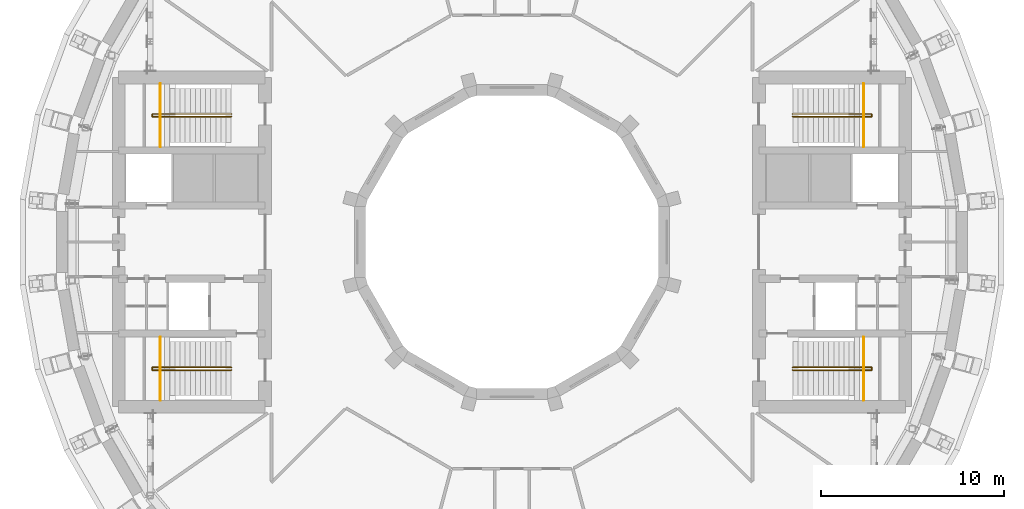
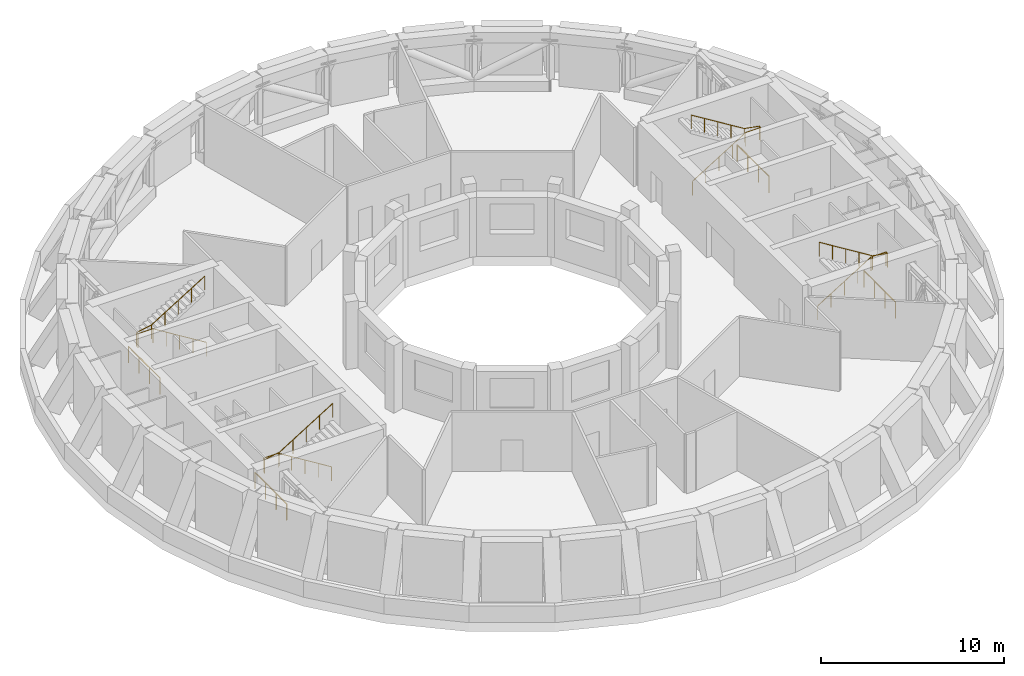
# One storey, part 20 of 20: 8 railings.
"""IFC4 building model written with IfcOpenShell, lengths in metres."""

from ifc_helpers import new_model, si_unit, direction, frame, origin, origin_2d, place, context, subcontext, project, spatial, circle, extrude, material, type_object, element, save


model = new_model("IFC4")

# Units and contexts
model_context = context("Model", 3, precision=1e-05, world=origin(), true_north=direction((0.0, 1.0)))
body_context = subcontext(model_context, "Body", "Model", "MODEL_VIEW")
ifc_project = project(units=[si_unit("LENGTHUNIT", "METRE"), si_unit("AREAUNIT", "SQUARE_METRE"), si_unit("VOLUMEUNIT", "CUBIC_METRE"), si_unit("PLANEANGLEUNIT", "RADIAN"), si_unit("MASSUNIT", "GRAM", prefix="KILO")], contexts=[model_context])

# Site, building, storey
site_placement = place(None, origin())
site = spatial("IfcSite", under=ifc_project, at=site_placement, CompositionType="ELEMENT")
building_placement = place(site_placement, origin())
building = spatial("IfcBuilding", under=site, at=building_placement, Name="Saqina Gate Tower", CompositionType="ELEMENT")
storey_placement = place(building_placement, frame((0.0, 0.0, 151.300048828125)))
storey = spatial("IfcBuildingStorey", under=building, at=storey_placement, Name="L43", CompositionType="ELEMENT", Elevation=151.300048828125)

# Railings
ifc_material_1 = material(Name="Stainless steel", Category="steel")
railing_type_1 = type_object("IfcRailingType", Name="STAIR GUARD", PredefinedType="GUARDRAIL", material=ifc_material_1)
railing_1_placement = place(storey_placement, frame((19.219970703125, 5.199951171875, 0.0)))
element("IfcRailing", 1, at=railing_1_placement, inside=storey, type_object=railing_type_1, Name="STAIR GUARD", PredefinedType="GUARDRAIL", context=body_context, shape_type="SweptSolid", body=[
    extrude(circle(Radius=0.02392578125, at=origin_2d()), frame((0.0, 0.0, 1.076171875), z_axis=(0.0, 1.0, 0.0), x_axis=(-1.0, 0.0, 0.0)), (0.0, 0.0, 1.0), 3.449951171875),
    extrude(circle(Radius=0.02099609375, at=origin_2d()), origin(), (0.0, 0.0, 1.0), 1.052001953125),
    extrude(circle(Radius=0.02099609375, at=origin_2d()), frame((0.0, 1.14990234375, 0.0)), (0.0, 0.0, 1.0), 1.052001953125),
    extrude(circle(Radius=0.02099609375, at=origin_2d()), frame((0.0, 2.300048828125, 0.0)), (0.0, 0.0, 1.0), 1.052001953125),
    extrude(circle(Radius=0.02099609375, at=origin_2d()), frame((0.0, 3.449951171875, 0.0)), (0.0, 0.0, 1.0), 1.052001953125),
])
railing_2_placement = place(storey_placement, frame((19.219970703125, -5.199951171875, 0.0)))
element("IfcRailing", 2, at=railing_2_placement, inside=storey, type_object=railing_type_1, Name="STAIR GUARD", PredefinedType="GUARDRAIL", context=body_context, shape_type="SweptSolid", body=[
    extrude(circle(Radius=0.02392578125, at=origin_2d()), frame((0.0, 0.0, 1.076171875), z_axis=(0.0, -1.0, 0.0), x_axis=(1.0, 0.0, 0.0)), (0.0, 0.0, 1.0), 3.449951171875),
    extrude(circle(Radius=0.02099609375, at=origin_2d()), origin(), (0.0, 0.0, 1.0), 1.052001953125),
    extrude(circle(Radius=0.02099609375, at=origin_2d()), frame((0.0, -1.14990234375, 0.0)), (0.0, 0.0, 1.0), 1.052001953125),
    extrude(circle(Radius=0.02099609375, at=origin_2d()), frame((0.0, -2.300048828125, 0.0)), (0.0, 0.0, 1.0), 1.052001953125),
    extrude(circle(Radius=0.02099609375, at=origin_2d()), frame((0.0, -3.449951171875, 0.0)), (0.0, 0.0, 1.0), 1.052001953125),
])
railing_3_placement = place(storey_placement, frame((-19.219970703125, 5.199951171875, 0.0)))
element("IfcRailing", 3, at=railing_3_placement, inside=storey, type_object=railing_type_1, Name="STAIR GUARD", PredefinedType="GUARDRAIL", context=body_context, shape_type="SweptSolid", body=[
    extrude(circle(Radius=0.02392578125, at=origin_2d()), frame((0.0, 0.0, 1.076171875), z_axis=(0.0, 1.0, 0.0), x_axis=(-1.0, 0.0, 0.0)), (0.0, 0.0, 1.0), 3.449951171875),
    extrude(circle(Radius=0.02099609375, at=origin_2d()), origin(), (0.0, 0.0, 1.0), 1.052001953125),
    extrude(circle(Radius=0.02099609375, at=origin_2d()), frame((0.0, 1.14990234375, 0.0)), (0.0, 0.0, 1.0), 1.052001953125),
    extrude(circle(Radius=0.02099609375, at=origin_2d()), frame((0.0, 2.300048828125, 0.0)), (0.0, 0.0, 1.0), 1.052001953125),
    extrude(circle(Radius=0.02099609375, at=origin_2d()), frame((0.0, 3.449951171875, 0.0)), (0.0, 0.0, 1.0), 1.052001953125),
])
railing_4_placement = place(storey_placement, frame((-19.219970703125, -5.199951171875, 0.0)))
element("IfcRailing", 4, at=railing_4_placement, inside=storey, type_object=railing_type_1, Name="STAIR GUARD", PredefinedType="GUARDRAIL", context=body_context, shape_type="SweptSolid", body=[
    extrude(circle(Radius=0.02392578125, at=origin_2d()), frame((0.0, 0.0, 1.076171875), z_axis=(0.0, -1.0, 0.0), x_axis=(1.0, 0.0, 0.0)), (0.0, 0.0, 1.0), 3.449951171875),
    extrude(circle(Radius=0.02099609375, at=origin_2d()), origin(), (0.0, 0.0, 1.0), 1.052001953125),
    extrude(circle(Radius=0.02099609375, at=origin_2d()), frame((0.0, -1.14990234375, 0.0)), (0.0, 0.0, 1.0), 1.052001953125),
    extrude(circle(Radius=0.02099609375, at=origin_2d()), frame((0.0, -2.300048828125, 0.0)), (0.0, 0.0, 1.0), 1.052001953125),
    extrude(circle(Radius=0.02099609375, at=origin_2d()), frame((0.0, -3.449951171875, 0.0)), (0.0, 0.0, 1.0), 1.052001953125),
])
ifc_material_2 = material(Name="Stainless steel", Category="steel")
railing_type_2 = type_object("IfcRailingType", Name="STAIR HANDRAIL", PredefinedType="HANDRAIL", material=ifc_material_2)
railing_5_placement = place(storey_placement, frame((15.35009765625, 6.85009765625, 0.173095703125)))
element("IfcRailing", 5, at=railing_5_placement, inside=storey, type_object=railing_type_2, Name="EXIT STAIR 1 HANDRAIL", PredefinedType="HANDRAIL", context=body_context, shape_type="SweptSolid", body=[
    extrude(circle(Radius=0.02392578125, at=origin_2d()), frame((0.0, 0.0, 0.92578125), z_axis=(0.850606129759, 0.0, 0.525803396734), x_axis=(0.0, 1.0, 0.0)), (0.0, 0.0, 1.0), 3.949951171875),
    extrude(circle(Radius=0.02392578125, at=origin_2d()), frame((3.35986328125, 0.0, 3.0029296875), z_axis=(1.0, 0.0, 0.0), x_axis=(0.0, 1.0, 0.0)), (0.0, 0.0, 1.0), 0.949951171875),
    extrude(circle(Radius=0.02392578125, at=origin_2d()), frame((4.309814453125, 0.0, 3.0029296875), z_axis=(0.0, 1.0, 0.0), x_axis=(-1.0, 0.0, 0.0)), (0.0, 0.0, 1.0), 0.14990234375),
    extrude(circle(Radius=0.02392578125, at=origin_2d()), frame((4.309814453125, 0.14990234375, 3.0029296875), z_axis=(-0.983801064867, 0.0, 0.17926367386), x_axis=(0.0, -1.0, 0.0)), (0.0, 0.0, 1.0), 0.965576171875),
    extrude(circle(Radius=0.02392578125, at=origin_2d()), frame((3.35986328125, 0.14990234375, 3.17578125), z_axis=(-0.850606129759, 0.0, 0.525803396734), x_axis=(0.0, -1.0, 0.0)), (0.0, 0.0, 1.0), 3.949951171875),
    extrude(circle(Radius=0.02099609375, at=origin_2d()), origin(), (0.0, 0.0, 1.0), 0.90185546875),
    extrude(circle(Radius=0.02099609375, at=origin_2d()), frame((0.83984375, 0.0, 0.519287109375)), (0.0, 0.0, 1.0), 0.90185546875),
    extrude(circle(Radius=0.02099609375, at=origin_2d()), frame((1.679931640625, 0.0, 1.03857421875)), (0.0, 0.0, 1.0), 0.90185546875),
    extrude(circle(Radius=0.02099609375, at=origin_2d()), frame((2.52001953125, 0.0, 1.5576171875)), (0.0, 0.0, 1.0), 0.90185546875),
    extrude(circle(Radius=0.02099609375, at=origin_2d()), frame((3.35986328125, 0.0, 2.076904296875)), (0.0, 0.0, 1.0), 0.90185546875),
    extrude(circle(Radius=0.02099609375, at=origin_2d()), frame((4.309814453125, 0.0, 2.076904296875)), (0.0, 0.0, 1.0), 0.90185546875),
    extrude(circle(Radius=0.02099609375, at=origin_2d()), frame((4.309814453125, 0.14990234375, 2.076904296875)), (0.0, 0.0, 1.0), 0.90185546875),
    extrude(circle(Radius=0.02099609375, at=origin_2d()), frame((3.35986328125, 0.14990234375, 2.25)), (0.0, 0.0, 1.0), 0.90185546875),
    extrude(circle(Radius=0.02099609375, at=origin_2d()), frame((2.52001953125, 0.14990234375, 2.769287109375)), (0.0, 0.0, 1.0), 0.90185546875),
    extrude(circle(Radius=0.02099609375, at=origin_2d()), frame((1.679931640625, 0.14990234375, 3.28857421875)), (0.0, 0.0, 1.0), 0.90185546875),
    extrude(circle(Radius=0.02099609375, at=origin_2d()), frame((0.83984375, 0.14990234375, 3.8076171875)), (0.0, 0.0, 1.0), 0.90185546875),
    extrude(circle(Radius=0.02099609375, at=origin_2d()), frame((0.0, 0.14990234375, 4.326904296875)), (0.0, 0.0, 1.0), 0.90185546875),
])
railing_6_placement = place(storey_placement, frame((15.35009765625, -6.85009765625, 0.173095703125)))
element("IfcRailing", 6, at=railing_6_placement, inside=storey, type_object=railing_type_2, Name="EXIT STAIR 2 HANDRAIL", PredefinedType="HANDRAIL", context=body_context, shape_type="SweptSolid", body=[
    extrude(circle(Radius=0.02392578125, at=origin_2d()), frame((0.0, 0.0, 0.92578125), z_axis=(0.850606129759, 0.0, 0.525803396734), x_axis=(0.0, 1.0, 0.0)), (0.0, 0.0, 1.0), 3.949951171875),
    extrude(circle(Radius=0.02392578125, at=origin_2d()), frame((3.35986328125, 0.0, 3.0029296875), z_axis=(1.0, 0.0, 0.0), x_axis=(0.0, 1.0, 0.0)), (0.0, 0.0, 1.0), 0.949951171875),
    extrude(circle(Radius=0.02392578125, at=origin_2d()), frame((4.309814453125, 0.0, 3.0029296875), z_axis=(0.0, -1.0, 0.0), x_axis=(1.0, 0.0, 0.0)), (0.0, 0.0, 1.0), 0.14990234375),
    extrude(circle(Radius=0.02392578125, at=origin_2d()), frame((4.309814453125, -0.14990234375, 3.0029296875), z_axis=(-0.983801064867, 0.0, 0.17926367386), x_axis=(0.0, -1.0, 0.0)), (0.0, 0.0, 1.0), 0.965576171875),
    extrude(circle(Radius=0.02392578125, at=origin_2d()), frame((3.35986328125, -0.14990234375, 3.17578125), z_axis=(-0.850606129759, 0.0, 0.525803396734), x_axis=(0.0, -1.0, 0.0)), (0.0, 0.0, 1.0), 3.949951171875),
    extrude(circle(Radius=0.02099609375, at=origin_2d()), origin(), (0.0, 0.0, 1.0), 0.90185546875),
    extrude(circle(Radius=0.02099609375, at=origin_2d()), frame((0.83984375, 0.0, 0.519287109375)), (0.0, 0.0, 1.0), 0.90185546875),
    extrude(circle(Radius=0.02099609375, at=origin_2d()), frame((1.679931640625, 0.0, 1.03857421875)), (0.0, 0.0, 1.0), 0.90185546875),
    extrude(circle(Radius=0.02099609375, at=origin_2d()), frame((2.52001953125, 0.0, 1.5576171875)), (0.0, 0.0, 1.0), 0.90185546875),
    extrude(circle(Radius=0.02099609375, at=origin_2d()), frame((3.35986328125, 0.0, 2.076904296875)), (0.0, 0.0, 1.0), 0.90185546875),
    extrude(circle(Radius=0.02099609375, at=origin_2d()), frame((4.309814453125, 0.0, 2.076904296875)), (0.0, 0.0, 1.0), 0.90185546875),
    extrude(circle(Radius=0.02099609375, at=origin_2d()), frame((4.309814453125, -0.14990234375, 2.076904296875)), (0.0, 0.0, 1.0), 0.90185546875),
    extrude(circle(Radius=0.02099609375, at=origin_2d()), frame((3.35986328125, -0.14990234375, 2.25)), (0.0, 0.0, 1.0), 0.90185546875),
    extrude(circle(Radius=0.02099609375, at=origin_2d()), frame((2.52001953125, -0.14990234375, 2.769287109375)), (0.0, 0.0, 1.0), 0.90185546875),
    extrude(circle(Radius=0.02099609375, at=origin_2d()), frame((1.679931640625, -0.14990234375, 3.28857421875)), (0.0, 0.0, 1.0), 0.90185546875),
    extrude(circle(Radius=0.02099609375, at=origin_2d()), frame((0.83984375, -0.14990234375, 3.8076171875)), (0.0, 0.0, 1.0), 0.90185546875),
    extrude(circle(Radius=0.02099609375, at=origin_2d()), frame((0.0, -0.14990234375, 4.326904296875)), (0.0, 0.0, 1.0), 0.90185546875),
])
railing_7_placement = place(storey_placement, frame((-15.35009765625, 6.85009765625, 0.173095703125)))
element("IfcRailing", 7, at=railing_7_placement, inside=storey, type_object=railing_type_2, Name="EXIT STAIR 3 HANDRAIL", PredefinedType="HANDRAIL", context=body_context, shape_type="SweptSolid", body=[
    extrude(circle(Radius=0.02392578125, at=origin_2d()), frame((0.0, 0.0, 0.92578125), z_axis=(-0.850606129759, 0.0, 0.525803396734), x_axis=(0.0, -1.0, 0.0)), (0.0, 0.0, 1.0), 3.949951171875),
    extrude(circle(Radius=0.02392578125, at=origin_2d()), frame((-3.35986328125, 0.0, 3.0029296875), z_axis=(-1.0, 0.0, 0.0), x_axis=(0.0, -1.0, 0.0)), (0.0, 0.0, 1.0), 0.949951171875),
    extrude(circle(Radius=0.02392578125, at=origin_2d()), frame((-4.309814453125, 0.0, 3.0029296875), z_axis=(0.0, 1.0, 0.0), x_axis=(-1.0, 0.0, 0.0)), (0.0, 0.0, 1.0), 0.14990234375),
    extrude(circle(Radius=0.02392578125, at=origin_2d()), frame((-4.309814453125, 0.14990234375, 3.0029296875), z_axis=(0.983801064867, 0.0, 0.17926367386), x_axis=(0.0, 1.0, 0.0)), (0.0, 0.0, 1.0), 0.965576171875),
    extrude(circle(Radius=0.02392578125, at=origin_2d()), frame((-3.35986328125, 0.14990234375, 3.17578125), z_axis=(0.850606129759, 0.0, 0.525803396734), x_axis=(0.0, 1.0, 0.0)), (0.0, 0.0, 1.0), 3.949951171875),
    extrude(circle(Radius=0.02099609375, at=origin_2d()), origin(), (0.0, 0.0, 1.0), 0.90185546875),
    extrude(circle(Radius=0.02099609375, at=origin_2d()), frame((-0.83984375, 0.0, 0.519287109375)), (0.0, 0.0, 1.0), 0.90185546875),
    extrude(circle(Radius=0.02099609375, at=origin_2d()), frame((-1.679931640625, 0.0, 1.03857421875)), (0.0, 0.0, 1.0), 0.90185546875),
    extrude(circle(Radius=0.02099609375, at=origin_2d()), frame((-2.52001953125, 0.0, 1.5576171875)), (0.0, 0.0, 1.0), 0.90185546875),
    extrude(circle(Radius=0.02099609375, at=origin_2d()), frame((-3.35986328125, 0.0, 2.076904296875)), (0.0, 0.0, 1.0), 0.90185546875),
    extrude(circle(Radius=0.02099609375, at=origin_2d()), frame((-4.309814453125, 0.0, 2.076904296875)), (0.0, 0.0, 1.0), 0.90185546875),
    extrude(circle(Radius=0.02099609375, at=origin_2d()), frame((-4.309814453125, 0.14990234375, 2.076904296875)), (0.0, 0.0, 1.0), 0.90185546875),
    extrude(circle(Radius=0.02099609375, at=origin_2d()), frame((-3.35986328125, 0.14990234375, 2.25)), (0.0, 0.0, 1.0), 0.90185546875),
    extrude(circle(Radius=0.02099609375, at=origin_2d()), frame((-2.52001953125, 0.14990234375, 2.769287109375)), (0.0, 0.0, 1.0), 0.90185546875),
    extrude(circle(Radius=0.02099609375, at=origin_2d()), frame((-1.679931640625, 0.14990234375, 3.28857421875)), (0.0, 0.0, 1.0), 0.90185546875),
    extrude(circle(Radius=0.02099609375, at=origin_2d()), frame((-0.83984375, 0.14990234375, 3.8076171875)), (0.0, 0.0, 1.0), 0.90185546875),
    extrude(circle(Radius=0.02099609375, at=origin_2d()), frame((0.0, 0.14990234375, 4.326904296875)), (0.0, 0.0, 1.0), 0.90185546875),
])
railing_8_placement = place(storey_placement, frame((-15.35009765625, -6.85009765625, 0.173095703125)))
element("IfcRailing", 8, at=railing_8_placement, inside=storey, type_object=railing_type_2, Name="EXIT STAIR 4 HANDRAIL", PredefinedType="HANDRAIL", context=body_context, shape_type="SweptSolid", body=[
    extrude(circle(Radius=0.02392578125, at=origin_2d()), frame((0.0, 0.0, 0.92578125), z_axis=(-0.850606129759, 0.0, 0.525803396734), x_axis=(0.0, -1.0, 0.0)), (0.0, 0.0, 1.0), 3.949951171875),
    extrude(circle(Radius=0.02392578125, at=origin_2d()), frame((-3.35986328125, 0.0, 3.0029296875), z_axis=(-1.0, 0.0, 0.0), x_axis=(0.0, -1.0, 0.0)), (0.0, 0.0, 1.0), 0.949951171875),
    extrude(circle(Radius=0.02392578125, at=origin_2d()), frame((-4.309814453125, 0.0, 3.0029296875), z_axis=(0.0, -1.0, 0.0), x_axis=(1.0, 0.0, 0.0)), (0.0, 0.0, 1.0), 0.14990234375),
    extrude(circle(Radius=0.02392578125, at=origin_2d()), frame((-4.309814453125, -0.14990234375, 3.0029296875), z_axis=(0.983801064867, 0.0, 0.17926367386), x_axis=(0.0, 1.0, 0.0)), (0.0, 0.0, 1.0), 0.965576171875),
    extrude(circle(Radius=0.02392578125, at=origin_2d()), frame((-3.35986328125, -0.14990234375, 3.17578125), z_axis=(0.850606129759, 0.0, 0.525803396734), x_axis=(0.0, 1.0, 0.0)), (0.0, 0.0, 1.0), 3.949951171875),
    extrude(circle(Radius=0.02099609375, at=origin_2d()), origin(), (0.0, 0.0, 1.0), 0.90185546875),
    extrude(circle(Radius=0.02099609375, at=origin_2d()), frame((-0.83984375, 0.0, 0.519287109375)), (0.0, 0.0, 1.0), 0.90185546875),
    extrude(circle(Radius=0.02099609375, at=origin_2d()), frame((-1.679931640625, 0.0, 1.03857421875)), (0.0, 0.0, 1.0), 0.90185546875),
    extrude(circle(Radius=0.02099609375, at=origin_2d()), frame((-2.52001953125, 0.0, 1.5576171875)), (0.0, 0.0, 1.0), 0.90185546875),
    extrude(circle(Radius=0.02099609375, at=origin_2d()), frame((-3.35986328125, 0.0, 2.076904296875)), (0.0, 0.0, 1.0), 0.90185546875),
    extrude(circle(Radius=0.02099609375, at=origin_2d()), frame((-4.309814453125, 0.0, 2.076904296875)), (0.0, 0.0, 1.0), 0.90185546875),
    extrude(circle(Radius=0.02099609375, at=origin_2d()), frame((-4.309814453125, -0.14990234375, 2.076904296875)), (0.0, 0.0, 1.0), 0.90185546875),
    extrude(circle(Radius=0.02099609375, at=origin_2d()), frame((-3.35986328125, -0.14990234375, 2.25)), (0.0, 0.0, 1.0), 0.90185546875),
    extrude(circle(Radius=0.02099609375, at=origin_2d()), frame((-2.52001953125, -0.14990234375, 2.769287109375)), (0.0, 0.0, 1.0), 0.90185546875),
    extrude(circle(Radius=0.02099609375, at=origin_2d()), frame((-1.679931640625, -0.14990234375, 3.28857421875)), (0.0, 0.0, 1.0), 0.90185546875),
    extrude(circle(Radius=0.02099609375, at=origin_2d()), frame((-0.83984375, -0.14990234375, 3.8076171875)), (0.0, 0.0, 1.0), 0.90185546875),
    extrude(circle(Radius=0.02099609375, at=origin_2d()), frame((0.0, -0.14990234375, 4.326904296875)), (0.0, 0.0, 1.0), 0.90185546875),
])

save(model, "model.ifc")
